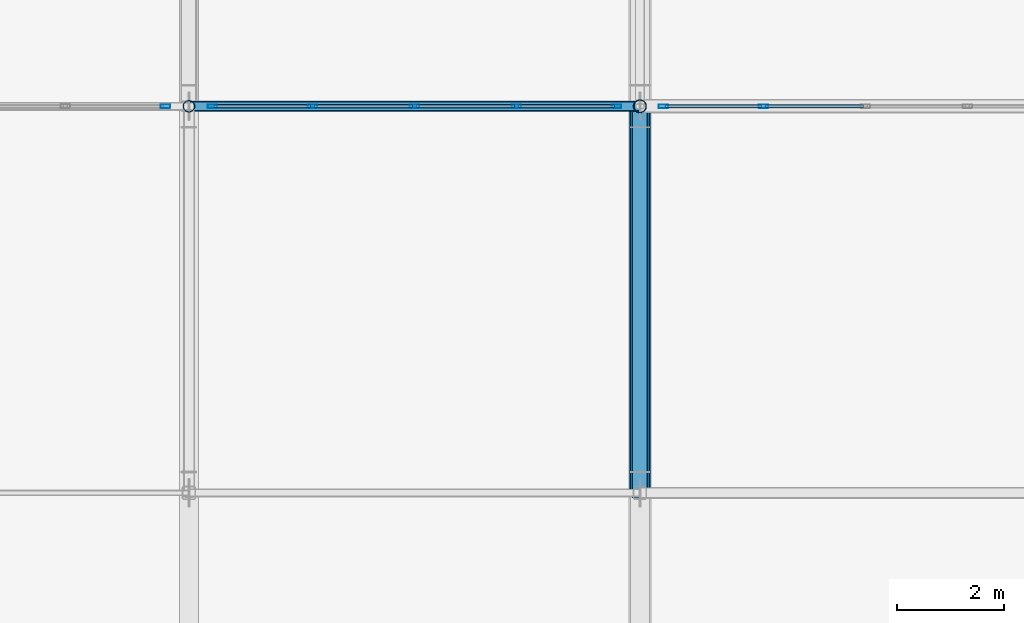
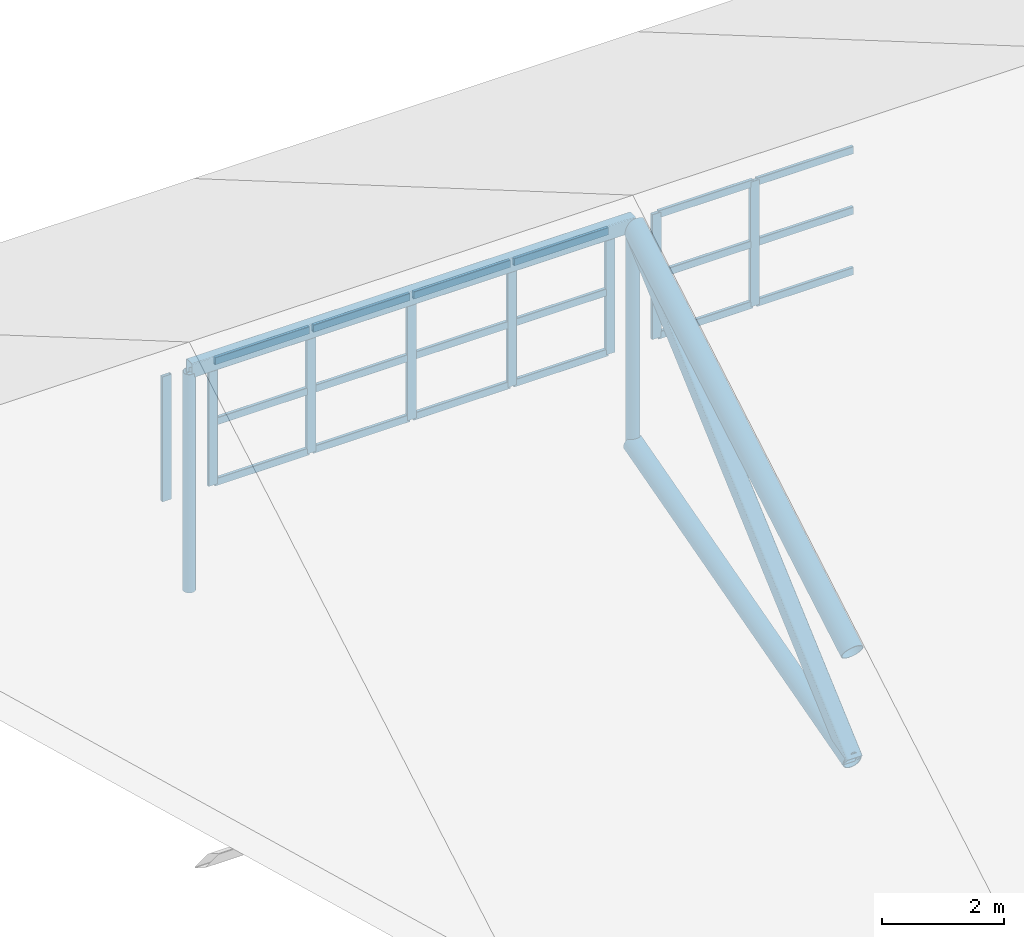
# One storey, part 16 of 54: 32 members, 3 elements without a shape of their own.
"""IFC4 building model written with IfcOpenShell, lengths in metres."""

from ifc_helpers import new_model, si_unit, direction, frame, origin, origin_2d, place, context, subcontext, project, spatial, hollow_rectangle, hollow_circle, extrude, material, layer, layer_set, material_profile, profile_set, type_object, element, aggregate, save


model = new_model("IFC4")

# Units and contexts
model_context = context("Model", 3, precision=1e-05, world=origin(), true_north=direction((0.0, 1.0)))
body_context = subcontext(model_context, "Body", "Model", "MODEL_VIEW")
ifc_project = project(units=[si_unit("LENGTHUNIT", "METRE"), si_unit("AREAUNIT", "SQUARE_METRE"), si_unit("VOLUMEUNIT", "CUBIC_METRE"), si_unit("PLANEANGLEUNIT", "RADIAN"), si_unit("MASSUNIT", "GRAM", prefix="KILO")], contexts=[model_context])

# Site, building, storey
site_placement = place(None, origin())
site = spatial("IfcSite", under=ifc_project, at=site_placement, CompositionType="ELEMENT")
building_placement = place(site_placement, origin())
building = spatial("IfcBuilding", under=site, at=building_placement, Name="Zulmaris Art Gallery", CompositionType="ELEMENT")
storey_placement = place(building_placement, frame((0.0, 0.0, 26.39990234375)))
storey = spatial("IfcBuildingStorey", under=building, at=storey_placement, Name="L05", CompositionType="ELEMENT", Elevation=26.39990234375)

# Curtain wall, member
ifc_material_1 = material(Name="Pitched Roof North-Light Clerestory Wall", Category="aluminium")
ifc_layer = layer(ifc_material_1, 0.179931640625)
ifc_layer_set = layer_set([ifc_layer], Name="Pitched Roof North-Light Clerestory Wall")
curtain_wall_type = type_object("IfcCurtainWallType", Name="CW-CW05", PredefinedType="NOTDEFINED", material=ifc_layer_set)
curtain_wall_1_placement = place(storey_placement, origin())
curtain_wall_1 = element("IfcCurtainWall", 1, at=curtain_wall_1_placement, inside=storey, type_object=curtain_wall_type, Name="L05 curtain wall 48", PredefinedType="NOTDEFINED")
ifc_material_2 = material(Name="Anodised Bronze Aluminium", Category="aluminium")
ifc_material_profile_1 = material_profile(ifc_material_2, hollow_rectangle(XDim=0.06494140625, YDim=0.179931640625, WallThickness=0.00390625, InnerFilletRadius=0.006103515625, OuterFilletRadius=0.010009765625, at=origin_2d()), Name="ALU 65x180x4")
ifc_profile_set_1 = profile_set([ifc_material_profile_1], Name="Anodised Bronze Aluminium")
member_type_1 = type_object("IfcMemberType", Name="CWMUL-01", PredefinedType="MULLION", material=ifc_profile_set_1)
member_1_placement = place(storey_placement, frame((57.16259765625, 36.0, 5.400146484375), z_axis=(0.0, 0.0, 1.0), x_axis=(0.0, 1.0, 0.0)))
member_1 = element("IfcMember", 2, at=member_1_placement, type_object=member_type_1, Name="CW05 mullion 5", PredefinedType="MULLION", context=body_context, shape_type="SweptSolid", body=[
    extrude(hollow_rectangle(XDim=0.06494140625, YDim=0.179931640625, WallThickness=0.00390625, InnerFilletRadius=0.006103515625, OuterFilletRadius=0.010009765625, at=origin_2d()), origin(), (0.0, 0.0, 1.0), 2.5),
])
aggregate(curtain_wall_1, [member_1])

# Curtain wall, members
curtain_wall_2_placement = place(storey_placement, origin())
curtain_wall_2 = element("IfcCurtainWall", 3, at=curtain_wall_2_placement, inside=storey, type_object=curtain_wall_type, Name="L05 curtain wall 49", PredefinedType="NOTDEFINED")
member_2_placement = place(storey_placement, frame((58.03759765625, 36.0, 5.400146484375), z_axis=(0.0, 0.0, 1.0), x_axis=(0.0, 1.0, 0.0)))
member_2 = element("IfcMember", 4, at=member_2_placement, type_object=member_type_1, Name="CW05 mullion 1", PredefinedType="MULLION", context=body_context, shape_type="SweptSolid", body=[
    extrude(hollow_rectangle(XDim=0.06494140625, YDim=0.179931640625, WallThickness=0.00390625, InnerFilletRadius=0.006103515625, OuterFilletRadius=0.010009765625, at=origin_2d()), origin(), (0.0, 0.0, 1.0), 2.5),
])
member_3_placement = place(storey_placement, frame((59.89990234375, 36.0, 5.400146484375), z_axis=(0.0, 0.0, 1.0), x_axis=(0.0, 1.0, 0.0)))
member_3 = element("IfcMember", 5, at=member_3_placement, type_object=member_type_1, Name="CW05 mullion 2", PredefinedType="MULLION", context=body_context, shape_type="SweptSolid", body=[
    extrude(hollow_rectangle(XDim=0.06494140625, YDim=0.179931640625, WallThickness=0.00390625, InnerFilletRadius=0.006103515625, OuterFilletRadius=0.010009765625, at=origin_2d()), origin(), (0.0, 0.0, 1.0), 2.5),
])
member_4_placement = place(storey_placement, frame((61.800048828125, 36.0, 5.400146484375), z_axis=(0.0, 0.0, 1.0), x_axis=(0.0, 1.0, 0.0)))
member_4 = element("IfcMember", 6, at=member_4_placement, type_object=member_type_1, Name="CW05 mullion 3", PredefinedType="MULLION", context=body_context, shape_type="SweptSolid", body=[
    extrude(hollow_rectangle(XDim=0.06494140625, YDim=0.179931640625, WallThickness=0.00390625, InnerFilletRadius=0.006103515625, OuterFilletRadius=0.010009765625, at=origin_2d()), origin(), (0.0, 0.0, 1.0), 2.5),
])
member_5_placement = place(storey_placement, frame((63.699951171875, 36.0, 5.400146484375), z_axis=(0.0, 0.0, 1.0), x_axis=(0.0, 1.0, 0.0)))
member_5 = element("IfcMember", 7, at=member_5_placement, type_object=member_type_1, Name="CW05 mullion 4", PredefinedType="MULLION", context=body_context, shape_type="SweptSolid", body=[
    extrude(hollow_rectangle(XDim=0.06494140625, YDim=0.179931640625, WallThickness=0.00390625, InnerFilletRadius=0.006103515625, OuterFilletRadius=0.010009765625, at=origin_2d()), origin(), (0.0, 0.0, 1.0), 2.5),
])
member_6_placement = place(storey_placement, frame((65.5625, 36.0, 5.400146484375), z_axis=(0.0, 0.0, 1.0), x_axis=(0.0, 1.0, 0.0)))
member_6 = element("IfcMember", 8, at=member_6_placement, type_object=member_type_1, Name="CW05 mullion 5", PredefinedType="MULLION", context=body_context, shape_type="SweptSolid", body=[
    extrude(hollow_rectangle(XDim=0.06494140625, YDim=0.179931640625, WallThickness=0.00390625, InnerFilletRadius=0.006103515625, OuterFilletRadius=0.010009765625, at=origin_2d()), origin(), (0.0, 0.0, 1.0), 2.5),
])

curtain_wall_3_placement = place(storey_placement, origin())
curtain_wall_3 = element("IfcCurtainWall", 9, at=curtain_wall_3_placement, inside=storey, type_object=curtain_wall_type, Name="L05 curtain wall 50", PredefinedType="NOTDEFINED")
member_7_placement = place(storey_placement, frame((66.4375, 36.0, 5.400146484375), z_axis=(0.0, 0.0, 1.0), x_axis=(0.0, 1.0, 0.0)))
member_7 = element("IfcMember", 10, at=member_7_placement, type_object=member_type_1, Name="CW05 mullion 1", PredefinedType="MULLION", context=body_context, shape_type="SweptSolid", body=[
    extrude(hollow_rectangle(XDim=0.06494140625, YDim=0.179931640625, WallThickness=0.00390625, InnerFilletRadius=0.006103515625, OuterFilletRadius=0.010009765625, at=origin_2d()), origin(), (0.0, 0.0, 1.0), 2.5),
])
member_8_placement = place(storey_placement, frame((68.300048828125, 36.0, 5.400146484375), z_axis=(0.0, 0.0, 1.0), x_axis=(0.0, 1.0, 0.0)))
member_8 = element("IfcMember", 11, at=member_8_placement, type_object=member_type_1, Name="CW05 mullion 2", PredefinedType="MULLION", context=body_context, shape_type="SweptSolid", body=[
    extrude(hollow_rectangle(XDim=0.06494140625, YDim=0.179931640625, WallThickness=0.00390625, InnerFilletRadius=0.006103515625, OuterFilletRadius=0.010009765625, at=origin_2d()), origin(), (0.0, 0.0, 1.0), 2.5),
])

# Member
ifc_material_profile_2 = material_profile(ifc_material_2, hollow_rectangle(XDim=0.06494140625, YDim=0.14990234375, WallThickness=0.00390625, InnerFilletRadius=0.006103515625, OuterFilletRadius=0.010009765625, at=origin_2d()), Name="ALU 65x150x4")
ifc_profile_set_2 = profile_set([ifc_material_profile_2], Name="Anodised Bronze Aluminium")
member_type_2 = type_object("IfcMemberType", Name="CWTRN-01", PredefinedType="USERDEFINED", material=ifc_profile_set_2)
member_9_placement = place(storey_placement, frame((58.074951171875, 36.0, 5.4375), z_axis=(1.0, 0.0, 0.0), x_axis=(0.0, 1.0, 0.0)))
member_9 = element("IfcMember", 12, at=member_9_placement, type_object=member_type_2, Name="CW05 transom 1.1", ObjectType="TRANSOM", PredefinedType="USERDEFINED", context=body_context, shape_type="SweptSolid", body=[
    extrude(hollow_rectangle(XDim=0.06494140625, YDim=0.14990234375, WallThickness=0.00390625, InnerFilletRadius=0.006103515625, OuterFilletRadius=0.010009765625, at=origin_2d()), origin(), (0.0, 0.0, 1.0), 1.78759765625),
])

member_10_placement = place(storey_placement, frame((58.074951171875, 36.0, 6.650146484375), z_axis=(1.0, 0.0, 0.0), x_axis=(0.0, 1.0, 0.0)))
member_10 = element("IfcMember", 13, at=member_10_placement, type_object=member_type_2, Name="CW05 transom 1.2", ObjectType="TRANSOM", PredefinedType="USERDEFINED", context=body_context, shape_type="SweptSolid", body=[
    extrude(hollow_rectangle(XDim=0.06494140625, YDim=0.14990234375, WallThickness=0.00390625, InnerFilletRadius=0.006103515625, OuterFilletRadius=0.010009765625, at=origin_2d()), origin(), (0.0, 0.0, 1.0), 1.78759765625),
])

member_11_placement = place(storey_placement, frame((58.074951171875, 36.0, 7.862548828125), z_axis=(1.0, 0.0, 0.0), x_axis=(0.0, 1.0, 0.0)))
member_11 = element("IfcMember", 14, at=member_11_placement, type_object=member_type_2, Name="CW05 transom 1.3", ObjectType="TRANSOM", PredefinedType="USERDEFINED", context=body_context, shape_type="SweptSolid", body=[
    extrude(hollow_rectangle(XDim=0.06494140625, YDim=0.14990234375, WallThickness=0.00390625, InnerFilletRadius=0.006103515625, OuterFilletRadius=0.010009765625, at=origin_2d()), origin(), (0.0, 0.0, 1.0), 1.78759765625),
])

member_12_placement = place(storey_placement, frame((59.9375, 36.0, 5.4375), z_axis=(1.0, 0.0, 0.0), x_axis=(0.0, 1.0, 0.0)))
member_12 = element("IfcMember", 15, at=member_12_placement, type_object=member_type_2, Name="CW05 transom 2.1", ObjectType="TRANSOM", PredefinedType="USERDEFINED", context=body_context, shape_type="SweptSolid", body=[
    extrude(hollow_rectangle(XDim=0.06494140625, YDim=0.14990234375, WallThickness=0.00390625, InnerFilletRadius=0.006103515625, OuterFilletRadius=0.010009765625, at=origin_2d()), origin(), (0.0, 0.0, 1.0), 1.824951171875),
])

member_13_placement = place(storey_placement, frame((59.9375, 36.0, 6.650146484375), z_axis=(1.0, 0.0, 0.0), x_axis=(0.0, 1.0, 0.0)))
member_13 = element("IfcMember", 16, at=member_13_placement, type_object=member_type_2, Name="CW05 transom 2.2", ObjectType="TRANSOM", PredefinedType="USERDEFINED", context=body_context, shape_type="SweptSolid", body=[
    extrude(hollow_rectangle(XDim=0.06494140625, YDim=0.14990234375, WallThickness=0.00390625, InnerFilletRadius=0.006103515625, OuterFilletRadius=0.010009765625, at=origin_2d()), origin(), (0.0, 0.0, 1.0), 1.824951171875),
])

member_14_placement = place(storey_placement, frame((59.9375, 36.0, 7.862548828125), z_axis=(1.0, 0.0, 0.0), x_axis=(0.0, 1.0, 0.0)))
member_14 = element("IfcMember", 17, at=member_14_placement, type_object=member_type_2, Name="CW05 transom 2.3", ObjectType="TRANSOM", PredefinedType="USERDEFINED", context=body_context, shape_type="SweptSolid", body=[
    extrude(hollow_rectangle(XDim=0.06494140625, YDim=0.14990234375, WallThickness=0.00390625, InnerFilletRadius=0.006103515625, OuterFilletRadius=0.010009765625, at=origin_2d()), origin(), (0.0, 0.0, 1.0), 1.824951171875),
])

member_15_placement = place(storey_placement, frame((61.83740234375, 36.0, 5.4375), z_axis=(1.0, 0.0, 0.0), x_axis=(0.0, 1.0, 0.0)))
member_15 = element("IfcMember", 18, at=member_15_placement, type_object=member_type_2, Name="CW05 transom 3.1", ObjectType="TRANSOM", PredefinedType="USERDEFINED", context=body_context, shape_type="SweptSolid", body=[
    extrude(hollow_rectangle(XDim=0.06494140625, YDim=0.14990234375, WallThickness=0.00390625, InnerFilletRadius=0.006103515625, OuterFilletRadius=0.010009765625, at=origin_2d()), origin(), (0.0, 0.0, 1.0), 1.8251953125),
])

member_16_placement = place(storey_placement, frame((61.83740234375, 36.0, 6.650146484375), z_axis=(1.0, 0.0, 0.0), x_axis=(0.0, 1.0, 0.0)))
member_16 = element("IfcMember", 19, at=member_16_placement, type_object=member_type_2, Name="CW05 transom 3.2", ObjectType="TRANSOM", PredefinedType="USERDEFINED", context=body_context, shape_type="SweptSolid", body=[
    extrude(hollow_rectangle(XDim=0.06494140625, YDim=0.14990234375, WallThickness=0.00390625, InnerFilletRadius=0.006103515625, OuterFilletRadius=0.010009765625, at=origin_2d()), origin(), (0.0, 0.0, 1.0), 1.8251953125),
])

member_17_placement = place(storey_placement, frame((61.83740234375, 36.0, 7.862548828125), z_axis=(1.0, 0.0, 0.0), x_axis=(0.0, 1.0, 0.0)))
member_17 = element("IfcMember", 20, at=member_17_placement, type_object=member_type_2, Name="CW05 transom 3.3", ObjectType="TRANSOM", PredefinedType="USERDEFINED", context=body_context, shape_type="SweptSolid", body=[
    extrude(hollow_rectangle(XDim=0.06494140625, YDim=0.14990234375, WallThickness=0.00390625, InnerFilletRadius=0.006103515625, OuterFilletRadius=0.010009765625, at=origin_2d()), origin(), (0.0, 0.0, 1.0), 1.8251953125),
])

member_18_placement = place(storey_placement, frame((63.737548828125, 36.0, 5.4375), z_axis=(1.0, 0.0, 0.0), x_axis=(0.0, 1.0, 0.0)))
member_18 = element("IfcMember", 21, at=member_18_placement, type_object=member_type_2, Name="CW05 transom 4.1", ObjectType="TRANSOM", PredefinedType="USERDEFINED", context=body_context, shape_type="SweptSolid", body=[
    extrude(hollow_rectangle(XDim=0.06494140625, YDim=0.14990234375, WallThickness=0.00390625, InnerFilletRadius=0.006103515625, OuterFilletRadius=0.010009765625, at=origin_2d()), origin(), (0.0, 0.0, 1.0), 1.787353515625),
])

member_19_placement = place(storey_placement, frame((63.737548828125, 36.0, 6.650146484375), z_axis=(1.0, 0.0, 0.0), x_axis=(0.0, 1.0, 0.0)))
member_19 = element("IfcMember", 22, at=member_19_placement, type_object=member_type_2, Name="CW05 transom 4.2", ObjectType="TRANSOM", PredefinedType="USERDEFINED", context=body_context, shape_type="SweptSolid", body=[
    extrude(hollow_rectangle(XDim=0.06494140625, YDim=0.14990234375, WallThickness=0.00390625, InnerFilletRadius=0.006103515625, OuterFilletRadius=0.010009765625, at=origin_2d()), origin(), (0.0, 0.0, 1.0), 1.787353515625),
])

member_20_placement = place(storey_placement, frame((63.737548828125, 36.0, 7.862548828125), z_axis=(1.0, 0.0, 0.0), x_axis=(0.0, 1.0, 0.0)))
member_20 = element("IfcMember", 23, at=member_20_placement, type_object=member_type_2, Name="CW05 transom 4.3", ObjectType="TRANSOM", PredefinedType="USERDEFINED", context=body_context, shape_type="SweptSolid", body=[
    extrude(hollow_rectangle(XDim=0.06494140625, YDim=0.14990234375, WallThickness=0.00390625, InnerFilletRadius=0.006103515625, OuterFilletRadius=0.010009765625, at=origin_2d()), origin(), (0.0, 0.0, 1.0), 1.787353515625),
])

aggregate(curtain_wall_2, [member_2, member_3, member_4, member_5, member_6, member_9, member_10, member_11, member_12, member_13, member_14, member_15, member_16, member_17, member_18, member_19, member_20])

member_21_placement = place(storey_placement, frame((66.47509765625, 36.0, 5.4375), z_axis=(1.0, 0.0, 0.0), x_axis=(0.0, 1.0, 0.0)))
member_21 = element("IfcMember", 24, at=member_21_placement, type_object=member_type_2, Name="CW05 transom 1.1", ObjectType="TRANSOM", PredefinedType="USERDEFINED", context=body_context, shape_type="SweptSolid", body=[
    extrude(hollow_rectangle(XDim=0.06494140625, YDim=0.14990234375, WallThickness=0.00390625, InnerFilletRadius=0.006103515625, OuterFilletRadius=0.010009765625, at=origin_2d()), origin(), (0.0, 0.0, 1.0), 1.787353515625),
])

member_22_placement = place(storey_placement, frame((66.47509765625, 36.0, 6.650146484375), z_axis=(1.0, 0.0, 0.0), x_axis=(0.0, 1.0, 0.0)))
member_22 = element("IfcMember", 25, at=member_22_placement, type_object=member_type_2, Name="CW05 transom 1.2", ObjectType="TRANSOM", PredefinedType="USERDEFINED", context=body_context, shape_type="SweptSolid", body=[
    extrude(hollow_rectangle(XDim=0.06494140625, YDim=0.14990234375, WallThickness=0.00390625, InnerFilletRadius=0.006103515625, OuterFilletRadius=0.010009765625, at=origin_2d()), origin(), (0.0, 0.0, 1.0), 1.787353515625),
])

member_23_placement = place(storey_placement, frame((66.47509765625, 36.0, 7.862548828125), z_axis=(1.0, 0.0, 0.0), x_axis=(0.0, 1.0, 0.0)))
member_23 = element("IfcMember", 26, at=member_23_placement, type_object=member_type_2, Name="CW05 transom 1.3", ObjectType="TRANSOM", PredefinedType="USERDEFINED", context=body_context, shape_type="SweptSolid", body=[
    extrude(hollow_rectangle(XDim=0.06494140625, YDim=0.14990234375, WallThickness=0.00390625, InnerFilletRadius=0.006103515625, OuterFilletRadius=0.010009765625, at=origin_2d()), origin(), (0.0, 0.0, 1.0), 1.787353515625),
])

member_24_placement = place(storey_placement, frame((68.33740234375, 36.0, 5.4375), z_axis=(1.0, 0.0, 0.0), x_axis=(0.0, 1.0, 0.0)))
member_24 = element("IfcMember", 27, at=member_24_placement, type_object=member_type_2, Name="CW05 transom 2.1", ObjectType="TRANSOM", PredefinedType="USERDEFINED", context=body_context, shape_type="SweptSolid", body=[
    extrude(hollow_rectangle(XDim=0.06494140625, YDim=0.14990234375, WallThickness=0.00390625, InnerFilletRadius=0.006103515625, OuterFilletRadius=0.010009765625, at=origin_2d()), origin(), (0.0, 0.0, 1.0), 1.8251953125),
])

member_25_placement = place(storey_placement, frame((68.33740234375, 36.0, 6.650146484375), z_axis=(1.0, 0.0, 0.0), x_axis=(0.0, 1.0, 0.0)))
member_25 = element("IfcMember", 28, at=member_25_placement, type_object=member_type_2, Name="CW05 transom 2.2", ObjectType="TRANSOM", PredefinedType="USERDEFINED", context=body_context, shape_type="SweptSolid", body=[
    extrude(hollow_rectangle(XDim=0.06494140625, YDim=0.14990234375, WallThickness=0.00390625, InnerFilletRadius=0.006103515625, OuterFilletRadius=0.010009765625, at=origin_2d()), origin(), (0.0, 0.0, 1.0), 1.8251953125),
])

member_26_placement = place(storey_placement, frame((68.33740234375, 36.0, 7.862548828125), z_axis=(1.0, 0.0, 0.0), x_axis=(0.0, 1.0, 0.0)))
member_26 = element("IfcMember", 29, at=member_26_placement, type_object=member_type_2, Name="CW05 transom 2.3", ObjectType="TRANSOM", PredefinedType="USERDEFINED", context=body_context, shape_type="SweptSolid", body=[
    extrude(hollow_rectangle(XDim=0.06494140625, YDim=0.14990234375, WallThickness=0.00390625, InnerFilletRadius=0.006103515625, OuterFilletRadius=0.010009765625, at=origin_2d()), origin(), (0.0, 0.0, 1.0), 1.8251953125),
])

aggregate(curtain_wall_3, [member_7, member_8, member_21, member_22, member_23, member_24, member_25, member_26])

# Members
ifc_material_3 = material(Name="Steel S355J2H", Category="steel")
ifc_material_profile_3 = material_profile(ifc_material_3, hollow_rectangle(XDim=0.199951171875, YDim=0.300048828125, WallThickness=0.012451171875, InnerFilletRadius=0.018798828125, OuterFilletRadius=0.03125, at=origin_2d()), Name="RHS 300x200x12.5")
ifc_profile_set_3 = profile_set([ifc_material_profile_3], Name="Steel S355J2H")
member_type_3 = type_object("IfcMemberType", Name="MEM-PR03", PredefinedType="PURLIN", material=ifc_profile_set_3)
member_27_placement = place(storey_placement, frame((57.60009765625, 36.0, 7.8701171875), z_axis=(1.0, 0.0, 0.0), x_axis=(0.0, 1.0, 0.0)))
element("IfcMember", 30, at=member_27_placement, inside=storey, type_object=member_type_3, Name="Skylight roof purlin bay 7 line 3", PredefinedType="PURLIN", context=body_context, shape_type="SweptSolid", body=[
    extrude(hollow_rectangle(XDim=0.199951171875, YDim=0.300048828125, WallThickness=0.012451171875, InnerFilletRadius=0.018798828125, OuterFilletRadius=0.03125, at=origin_2d()), origin(), (0.0, 0.0, 1.0), 8.39990234375),
])
ifc_material_profile_4 = material_profile(ifc_material_3, hollow_rectangle(XDim=0.300048828125, YDim=0.300048828125, WallThickness=0.01611328125, InnerFilletRadius=0.02392578125, OuterFilletRadius=0.0400390625, at=origin_2d()), Name="SHS 300x300x16")
ifc_profile_set_4 = profile_set([ifc_material_profile_4], Name="Steel S355J2H")
member_type_4 = type_object("IfcMemberType", Name="MEM-TB07", PredefinedType="BRACE", material=ifc_profile_set_4)
member_28_placement = place(storey_placement, frame((66.0, 28.800048828125, 1.4501953125), z_axis=(0.0, 0.748961175261, 0.662613883006), x_axis=(-1.0, 0.0, 0.0)))
element("IfcMember", 31, at=member_28_placement, inside=storey, type_object=member_type_4, Name="Pitched gallery truss TR-R08 diagonal 2", PredefinedType="BRACE", context=body_context, shape_type="SweptSolid", body=[
    extrude(hollow_rectangle(XDim=0.300048828125, YDim=0.300048828125, WallThickness=0.01611328125, InnerFilletRadius=0.02392578125, OuterFilletRadius=0.0400390625, at=origin_2d()), origin(), (0.0, 0.0, 1.0), 9.61328125),
])
ifc_material_profile_5 = material_profile(ifc_material_3, hollow_circle(Radius=0.177734375, WallThickness=0.01611328125, at=origin_2d()), Name="CHS 355.6x16")
ifc_profile_set_5 = profile_set([ifc_material_profile_5], Name="Steel S355J2H")
member_type_5 = type_object("IfcMemberType", Name="MEM-TC01", PredefinedType="CHORD", material=ifc_profile_set_5)
member_29_placement = place(storey_placement, frame((66.0, 28.800048828125, 1.4501953125), z_axis=(0.0, 0.963517441554, 0.267645548853), x_axis=(-1.0, 0.0, 0.0)))
element("IfcMember", 32, at=member_29_placement, inside=storey, type_object=member_type_5, Name="Pitched gallery truss TR-R08 bottom chord 2", PredefinedType="CHORD", context=body_context, shape_type="SweptSolid", body=[
    extrude(hollow_circle(Radius=0.177734375, WallThickness=0.01611328125, at=origin_2d()), origin(), (0.0, 0.0, 1.0), 7.47265625),
])
ifc_material_profile_6 = material_profile(ifc_material_3, hollow_circle(Radius=0.203125, WallThickness=0.01611328125, at=origin_2d()), Name="CHS 406.4x16")
ifc_profile_set_6 = profile_set([ifc_material_profile_6], Name="Steel S355J2H")
member_type_6 = type_object("IfcMemberType", Name="MEM-TC02", PredefinedType="CHORD", material=ifc_profile_set_6)
member_30_placement = place(storey_placement, frame((66.0, 28.800048828125, 3.6201171875), z_axis=(0.0, 0.863779963214, 0.503869204407), x_axis=(-1.0, 0.0, 0.0)))
element("IfcMember", 33, at=member_30_placement, inside=storey, type_object=member_type_6, Name="Pitched gallery truss TR-R08 top chord 2", PredefinedType="CHORD", context=body_context, shape_type="SweptSolid", body=[
    extrude(hollow_circle(Radius=0.203125, WallThickness=0.01611328125, at=origin_2d()), origin(), (0.0, 0.0, 1.0), 8.33544921875),
])
ifc_material_profile_7 = material_profile(ifc_material_3, hollow_circle(Radius=0.109619140625, WallThickness=0.010009765625, at=origin_2d()), Name="CHS 219.1x10")
ifc_profile_set_7 = profile_set([ifc_material_profile_7], Name="Steel S355J2H")
member_type_7 = type_object("IfcMemberType", Name="MEM-TP01", PredefinedType="POST", material=ifc_profile_set_7)
member_31_placement = place(storey_placement, frame((57.60009765625, 36.0, 3.4501953125), z_axis=(0.0, 0.0, 1.0), x_axis=(1.0, 0.0, 0.0)))
element("IfcMember", 34, at=member_31_placement, inside=storey, type_object=member_type_7, Name="Pitched gallery truss TR-R07 web post 3", PredefinedType="POST", context=body_context, shape_type="SweptSolid", body=[
    extrude(hollow_circle(Radius=0.109619140625, WallThickness=0.010009765625, at=origin_2d()), origin(), (0.0, 0.0, 1.0), 4.369873046875),
])
ifc_material_profile_8 = material_profile(ifc_material_3, hollow_circle(Radius=0.122314453125, WallThickness=0.012451171875, at=origin_2d()), Name="CHS 244.5x12.5")
ifc_profile_set_8 = profile_set([ifc_material_profile_8], Name="Steel S355J2H")
member_type_8 = type_object("IfcMemberType", Name="MEM-TP02", PredefinedType="POST", material=ifc_profile_set_8)
member_32_placement = place(storey_placement, frame((66.0, 36.0, 3.4501953125), z_axis=(0.0, 0.0, 1.0), x_axis=(1.0, 0.0, 0.0)))
element("IfcMember", 35, at=member_32_placement, inside=storey, type_object=member_type_8, Name="Pitched gallery truss TR-R08 web post 3", PredefinedType="POST", context=body_context, shape_type="SweptSolid", body=[
    extrude(hollow_circle(Radius=0.122314453125, WallThickness=0.012451171875, at=origin_2d()), origin(), (0.0, 0.0, 1.0), 4.369873046875),
])

save(model, "model.ifc")
